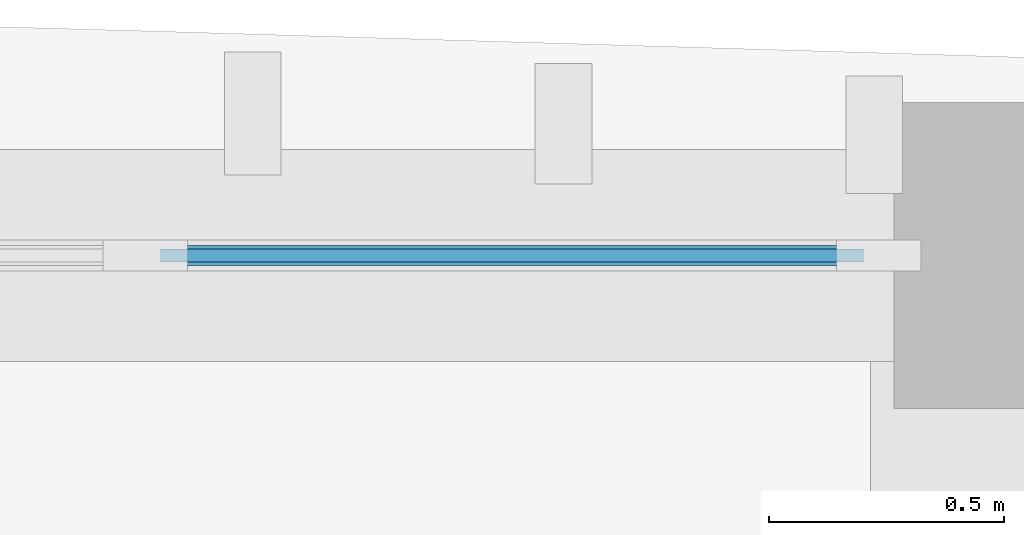
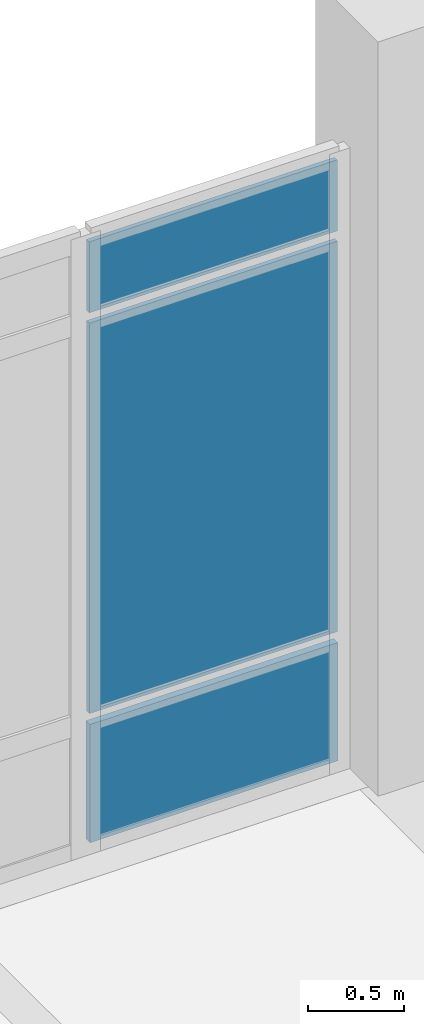
# One storey, part 41 of 76: 3 plates, 1 element without a shape of its own.
"""IFC4 building model written with IfcOpenShell, lengths in metres."""

from ifc_helpers import new_model, si_unit, direction, frame, origin, origin_2d, place, context, subcontext, project, spatial, rectangle, extrude, material, layer, layer_set, type_object, element, aggregate, save


model = new_model("IFC4")

# Units and contexts
model_context = context("Model", 3, precision=1e-05, world=origin(), true_north=direction((0.0, 1.0)))
body_context = subcontext(model_context, "Body", "Model", "MODEL_VIEW")
ifc_project = project(units=[si_unit("LENGTHUNIT", "METRE"), si_unit("AREAUNIT", "SQUARE_METRE"), si_unit("VOLUMEUNIT", "CUBIC_METRE"), si_unit("PLANEANGLEUNIT", "RADIAN"), si_unit("MASSUNIT", "GRAM", prefix="KILO")], contexts=[model_context])

# Site, building, storey
site_placement = place(None, origin())
site = spatial("IfcSite", under=ifc_project, at=site_placement, CompositionType="ELEMENT")
building_placement = place(site_placement, origin())
building = spatial("IfcBuilding", under=site, at=building_placement, Name="Dornvale Research Institute", CompositionType="ELEMENT")
storey_placement = place(building_placement, frame((0.0, 0.0, 15.0)))
storey = spatial("IfcBuildingStorey", under=building, at=storey_placement, Name="L03", CompositionType="ELEMENT", Elevation=15.0)

# Curtain wall, plates
ifc_material_1 = material(Name="Low-E Argon Double Insulating Glazing Unit", Category="glass")
curtain_wall_type = type_object("IfcCurtainWallType", Name="UnitisedCurtainWall_V4_7950x3950", PredefinedType="USERDEFINED", material=ifc_material_1)
curtain_wall_placement = place(storey_placement, origin())
curtain_wall = element("IfcCurtainWall", 1, at=curtain_wall_placement, inside=storey, type_object=curtain_wall_type, Name="L03 V4 unitised curtain wall CW-16 #94", ObjectType="UNITISED CURTAIN WALL", PredefinedType="USERDEFINED")
ifc_material_2 = material(Name="Insulated Ceramic-Frit Spandrel Glass Panel", Category="glass")
ifc_layer_1 = layer(ifc_material_2, 0.0419921875)
ifc_layer_set_1 = layer_set([ifc_layer_1], Name="Insulated Ceramic-Frit Spandrel Glass Panel")
plate_type_1 = type_object("IfcPlateType", Name="CurtainPanel_Spandrel_42", PredefinedType="CURTAIN_PANEL", material=ifc_layer_set_1)
plate_1_placement = place(storey_placement, frame((172.36376953125, 122.10009765625, 0.06494140625), z_axis=(0.0, 0.0, 1.0), x_axis=(1.0, 0.0, 0.0)))
plate_1 = element("IfcPlate", 2, at=plate_1_placement, type_object=plate_type_1, Name="CW-16 panel 5.1", PredefinedType="CURTAIN_PANEL", context=body_context, shape_type="SweptSolid", body=[
    extrude(rectangle(XDim=1.492431640625, YDim=0.0419921875, at=origin_2d()), origin(), (0.0, 0.0, 1.0), 0.75244140625),
])
ifc_material_3 = material(Name="Low-E Argon Double Insulating Glazing Unit", Category="glass")
ifc_layer_2 = layer(ifc_material_3, 0.028076171875)
ifc_layer_set_2 = layer_set([ifc_layer_2], Name="Low-E Argon Double Insulating Glazing Unit")
plate_type_2 = type_object("IfcPlateType", Name="CurtainPanel_Vision_28", PredefinedType="CURTAIN_PANEL", material=ifc_layer_set_2)
plate_2_placement = place(storey_placement, frame((172.36376953125, 122.10009765625, 0.88232421875), z_axis=(0.0, 0.0, 1.0), x_axis=(1.0, 0.0, 0.0)))
plate_2 = element("IfcPlate", 3, at=plate_2_placement, type_object=plate_type_2, Name="CW-16 panel 5.2", PredefinedType="CURTAIN_PANEL", context=body_context, shape_type="SweptSolid", body=[
    extrude(rectangle(XDim=1.492431640625, YDim=0.028076171875, at=origin_2d()), origin(), (0.0, 0.0, 1.0), 2.485107421875),
])
plate_3_placement = place(storey_placement, frame((172.36376953125, 122.10009765625, 3.4326171875), z_axis=(0.0, 0.0, 1.0), x_axis=(1.0, 0.0, 0.0)))
plate_3 = element("IfcPlate", 4, at=plate_3_placement, type_object=plate_type_2, Name="CW-16 panel 5.3", PredefinedType="CURTAIN_PANEL", context=body_context, shape_type="SweptSolid", body=[
    extrude(rectangle(XDim=1.492431640625, YDim=0.028076171875, at=origin_2d()), origin(), (0.0, 0.0, 1.0), 0.452392578125),
])
aggregate(curtain_wall, [plate_1, plate_2, plate_3])

save(model, "model.ifc")
